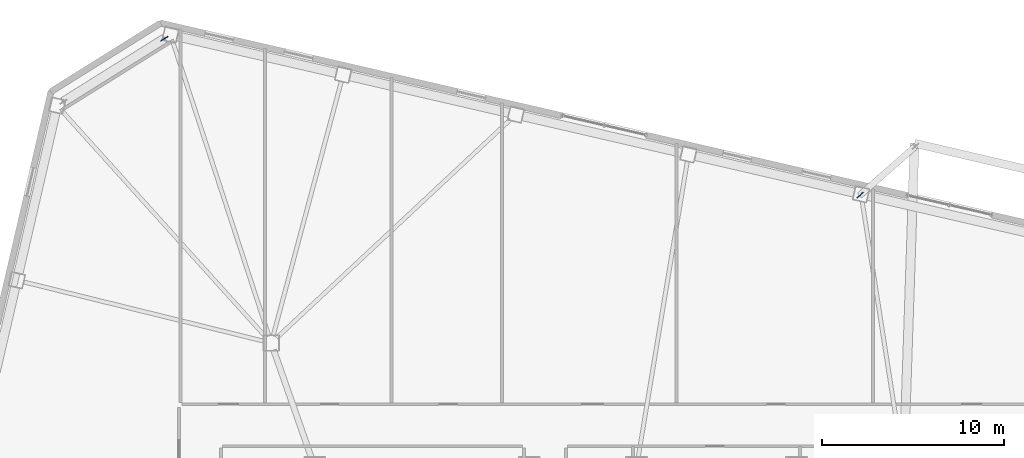
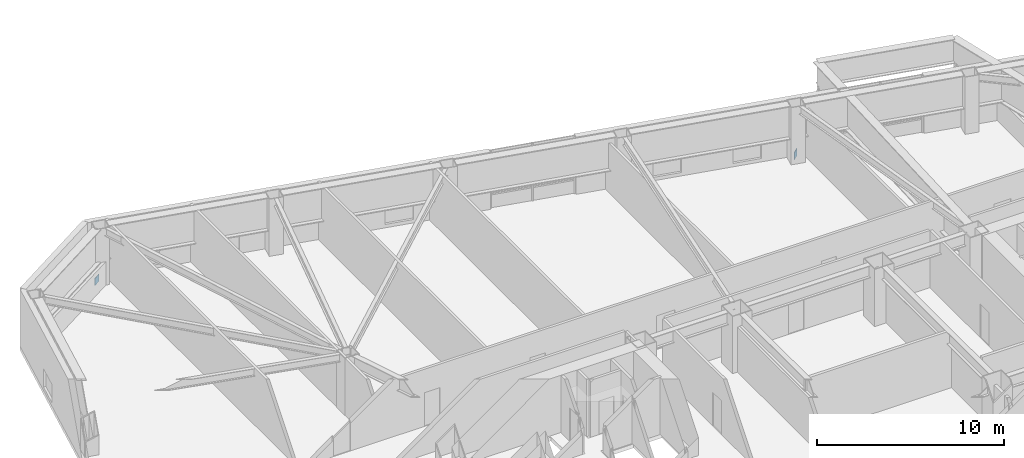
# One storey, part 16 of 21: 2 discrete accessories.
"""IFC4 building model written with IfcOpenShell, lengths in metres."""

from ifc_helpers import new_model, si_unit, direction, frame, origin, origin_2d, place, context, subcontext, project, spatial, rectangle, extrude, material, type_object, element, save


model = new_model("IFC4")

# Units and contexts
model_context = context("Model", 3, precision=1e-05, world=origin(), true_north=direction((0.0, 1.0)))
body_context = subcontext(model_context, "Body", "Model", "MODEL_VIEW")
ifc_project = project(units=[si_unit("LENGTHUNIT", "METRE"), si_unit("AREAUNIT", "SQUARE_METRE"), si_unit("VOLUMEUNIT", "CUBIC_METRE"), si_unit("PLANEANGLEUNIT", "RADIAN"), si_unit("MASSUNIT", "GRAM", prefix="KILO")], contexts=[model_context])

# Site, building, storey
site_placement = place(None, origin())
site = spatial("IfcSite", under=ifc_project, at=site_placement, CompositionType="ELEMENT")
building_placement = place(site_placement, origin())
building = spatial("IfcBuilding", under=site, at=building_placement, Name="Tavrogorsk Clinical Tower", CompositionType="ELEMENT")
storey_placement = place(building_placement, frame((0.0, 0.0, 59.39990234375)))
storey = spatial("IfcBuildingStorey", under=building, at=storey_placement, Name="L12", CompositionType="ELEMENT", Elevation=59.39990234375)

# Discrete accessories
ifc_material = material(Name="Structural steel S440", Category="steel")
discrete_accessory_type = type_object("IfcDiscreteAccessoryType", Name="GussetPlateBracket_25", PredefinedType="BRACKET", material=ifc_material)
for number, where, z_axis, x_axis, name in (
    (1, (-30.38134765625, 29.943115234375, 0.13525390625), (0.0, 0.0, 1.0), (-0.848048096156, -0.529919264233, 0.0), "L12 Brace Gusset Plate EXOCRN-L12-3-A"),
    (2, (7.8984375, 21.334716796875, 0.194091796875), (0.0, 0.0, 1.0), (0.749995637512, 0.66144277433, 0.0), "L12 Brace Gusset Plate DRB-02-STRUT-L-L13-A"),
):
    element("IfcDiscreteAccessory", number, at=place(storey_placement, frame(where, z_axis=z_axis, x_axis=x_axis)), inside=storey, type_object=discrete_accessory_type, Name=name, PredefinedType="BRACKET", context=body_context, shape_type="SweptSolid", body=[
        extrude(rectangle(XDim=0.4599609375, YDim=0.0400390625, at=origin_2d()), origin(), (0.0, 0.0, 1.0), 0.4599609375),
    ])

save(model, "model.ifc")
